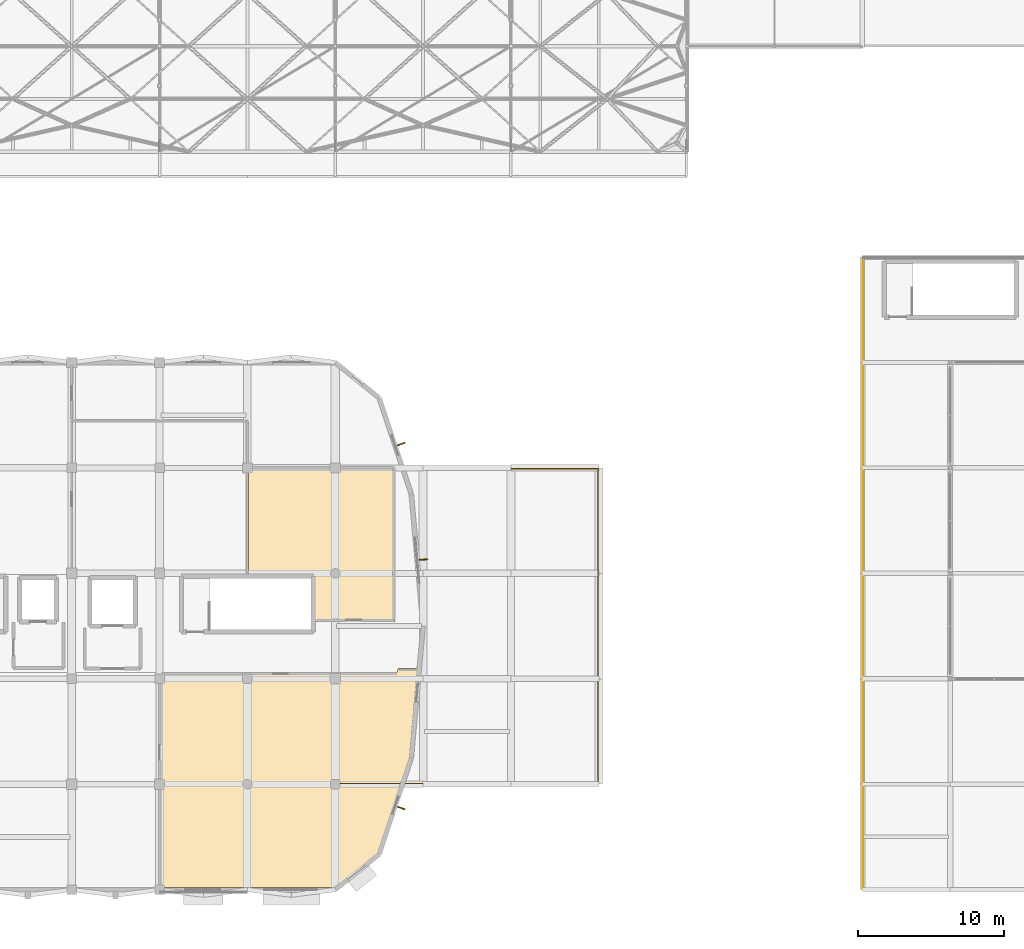
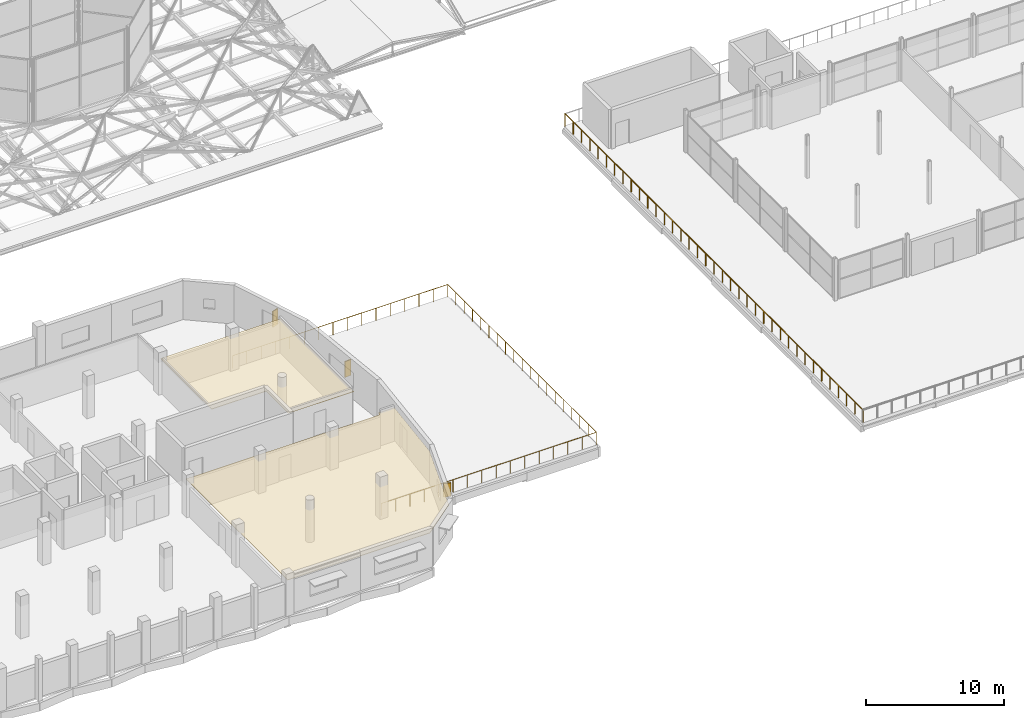
# One storey, part 236 of 239: 3 shading devices, 2 coverings, 2 railings.
"""IFC4 building model written with IfcOpenShell, lengths in metres."""

from ifc_helpers import new_model, si_unit, direction, frame, origin, origin_2d, place, context, subcontext, project, spatial, polyline, rectangle, circle, outline, extrude, material, layer, layer_set, type_object, element, save


model = new_model("IFC4")

# Units and contexts
model_context = context("Model", 3, precision=1e-05, world=origin(), true_north=direction((0.0, 1.0)))
body_context = subcontext(model_context, "Body", "Model", "MODEL_VIEW")
ifc_project = project(units=[si_unit("LENGTHUNIT", "METRE"), si_unit("AREAUNIT", "SQUARE_METRE"), si_unit("VOLUMEUNIT", "CUBIC_METRE"), si_unit("PLANEANGLEUNIT", "RADIAN"), si_unit("MASSUNIT", "GRAM", prefix="KILO")], contexts=[model_context])

# Site, building, storey
site_placement = place(None, origin())
site = spatial("IfcSite", under=ifc_project, at=site_placement, CompositionType="ELEMENT")
building_placement = place(site_placement, origin())
building = spatial("IfcBuilding", under=site, at=building_placement, Name="Dunvalen Ferry Terminal", CompositionType="ELEMENT")
storey_placement = place(building_placement, frame((0.0, 0.0, 9.840087890625)))
storey = spatial("IfcBuildingStorey", under=building, at=storey_placement, Name="L02", CompositionType="ELEMENT", Elevation=9.840087890625)

# Railings
ifc_material_1 = material(Name="Marine grade 316 stainless steel", Category="steel")
railing_type = type_object("IfcRailingType", Name="ENV-RL-BAL112", PredefinedType="BALUSTRADE", material=ifc_material_1)
railing_1_placement = place(storey_placement, frame((108.050048828125, 43.14990234375, 0.0)))
element("IfcRailing", 1, at=railing_1_placement, inside=storey, type_object=railing_type, Name="L02 Outdoor Terrace Safety Guard GRD-PROM-W", PredefinedType="BALUSTRADE", context=body_context, shape_type="SweptSolid", body=[
    extrude(circle(Radius=0.02392578125, at=origin_2d()), frame((0.0, 0.0, 1.09619140625), z_axis=(0.0, -1.0, 0.0), x_axis=(1.0, 0.0, 0.0)), (0.0, 0.0, 1.0), 43.099853515625),
    extrude(circle(Radius=0.02099609375, at=origin_2d()), origin(), (0.0, 0.0, 1.0), 1.072021484375),
    extrude(circle(Radius=0.02099609375, at=origin_2d()), frame((0.0, -1.197265625, 0.0)), (0.0, 0.0, 1.0), 1.072021484375),
    extrude(circle(Radius=0.02099609375, at=origin_2d()), frame((0.0, -2.39453125, 0.0)), (0.0, 0.0, 1.0), 1.072021484375),
    extrude(circle(Radius=0.02099609375, at=origin_2d()), frame((0.0, -3.591552734375, 0.0)), (0.0, 0.0, 1.0), 1.072021484375),
    extrude(circle(Radius=0.02099609375, at=origin_2d()), frame((0.0, -4.788818359375, 0.0)), (0.0, 0.0, 1.0), 1.072021484375),
    extrude(circle(Radius=0.02099609375, at=origin_2d()), frame((0.0, -5.986083984375, 0.0)), (0.0, 0.0, 1.0), 1.072021484375),
    extrude(circle(Radius=0.02099609375, at=origin_2d()), frame((0.0, -7.183349609375, 0.0)), (0.0, 0.0, 1.0), 1.072021484375),
    extrude(circle(Radius=0.02099609375, at=origin_2d()), frame((0.0, -8.380615234375, 0.0)), (0.0, 0.0, 1.0), 1.072021484375),
    extrude(circle(Radius=0.02099609375, at=origin_2d()), frame((0.0, -9.57763671875, 0.0)), (0.0, 0.0, 1.0), 1.072021484375),
    extrude(circle(Radius=0.02099609375, at=origin_2d()), frame((0.0, -10.77490234375, 0.0)), (0.0, 0.0, 1.0), 1.072021484375),
    extrude(circle(Radius=0.02099609375, at=origin_2d()), frame((0.0, -11.97216796875, 0.0)), (0.0, 0.0, 1.0), 1.072021484375),
    extrude(circle(Radius=0.02099609375, at=origin_2d()), frame((0.0, -13.16943359375, 0.0)), (0.0, 0.0, 1.0), 1.072021484375),
    extrude(circle(Radius=0.02099609375, at=origin_2d()), frame((0.0, -14.36669921875, 0.0)), (0.0, 0.0, 1.0), 1.072021484375),
    extrude(circle(Radius=0.02099609375, at=origin_2d()), frame((0.0, -15.563720703125, 0.0)), (0.0, 0.0, 1.0), 1.072021484375),
    extrude(circle(Radius=0.02099609375, at=origin_2d()), frame((0.0, -16.760986328125, 0.0)), (0.0, 0.0, 1.0), 1.072021484375),
    extrude(circle(Radius=0.02099609375, at=origin_2d()), frame((0.0, -17.958251953125, 0.0)), (0.0, 0.0, 1.0), 1.072021484375),
    extrude(circle(Radius=0.02099609375, at=origin_2d()), frame((0.0, -19.155517578125, 0.0)), (0.0, 0.0, 1.0), 1.072021484375),
    extrude(circle(Radius=0.02099609375, at=origin_2d()), frame((0.0, -20.352783203125, 0.0)), (0.0, 0.0, 1.0), 1.072021484375),
    extrude(circle(Radius=0.02099609375, at=origin_2d()), frame((0.0, -21.5498046875, 0.0)), (0.0, 0.0, 1.0), 1.072021484375),
    extrude(circle(Radius=0.02099609375, at=origin_2d()), frame((0.0, -22.7470703125, 0.0)), (0.0, 0.0, 1.0), 1.072021484375),
    extrude(circle(Radius=0.02099609375, at=origin_2d()), frame((0.0, -23.9443359375, 0.0)), (0.0, 0.0, 1.0), 1.072021484375),
    extrude(circle(Radius=0.02099609375, at=origin_2d()), frame((0.0, -25.1416015625, 0.0)), (0.0, 0.0, 1.0), 1.072021484375),
    extrude(circle(Radius=0.02099609375, at=origin_2d()), frame((0.0, -26.3388671875, 0.0)), (0.0, 0.0, 1.0), 1.072021484375),
    extrude(circle(Radius=0.02099609375, at=origin_2d()), frame((0.0, -27.5361328125, 0.0)), (0.0, 0.0, 1.0), 1.072021484375),
    extrude(circle(Radius=0.02099609375, at=origin_2d()), frame((0.0, -28.733154296875, 0.0)), (0.0, 0.0, 1.0), 1.072021484375),
    extrude(circle(Radius=0.02099609375, at=origin_2d()), frame((0.0, -29.930419921875, 0.0)), (0.0, 0.0, 1.0), 1.072021484375),
    extrude(circle(Radius=0.02099609375, at=origin_2d()), frame((0.0, -31.127685546875, 0.0)), (0.0, 0.0, 1.0), 1.072021484375),
    extrude(circle(Radius=0.02099609375, at=origin_2d()), frame((0.0, -32.324951171875, 0.0)), (0.0, 0.0, 1.0), 1.072021484375),
    extrude(circle(Radius=0.02099609375, at=origin_2d()), frame((0.0, -33.522216796875, 0.0)), (0.0, 0.0, 1.0), 1.072021484375),
    extrude(circle(Radius=0.02099609375, at=origin_2d()), frame((0.0, -34.71923828125, 0.0)), (0.0, 0.0, 1.0), 1.072021484375),
    extrude(circle(Radius=0.02099609375, at=origin_2d()), frame((0.0, -35.91650390625, 0.0)), (0.0, 0.0, 1.0), 1.072021484375),
    extrude(circle(Radius=0.02099609375, at=origin_2d()), frame((0.0, -37.11376953125, 0.0)), (0.0, 0.0, 1.0), 1.072021484375),
    extrude(circle(Radius=0.02099609375, at=origin_2d()), frame((0.0, -38.31103515625, 0.0)), (0.0, 0.0, 1.0), 1.072021484375),
    extrude(circle(Radius=0.02099609375, at=origin_2d()), frame((0.0, -39.50830078125, 0.0)), (0.0, 0.0, 1.0), 1.072021484375),
    extrude(circle(Radius=0.02099609375, at=origin_2d()), frame((0.0, -40.705322265625, 0.0)), (0.0, 0.0, 1.0), 1.072021484375),
    extrude(circle(Radius=0.02099609375, at=origin_2d()), frame((0.0, -41.902587890625, 0.0)), (0.0, 0.0, 1.0), 1.072021484375),
    extrude(circle(Radius=0.02099609375, at=origin_2d()), frame((0.0, -43.099853515625, 0.0)), (0.0, 0.0, 1.0), 1.072021484375),
])
railing_2_placement = place(storey_placement, frame((72.0, 7.25, 0.0)))
element("IfcRailing", 2, at=railing_2_placement, inside=storey, type_object=railing_type, Name="L02 Outdoor Terrace Safety Guard GRD-V5L02-TER", PredefinedType="BALUSTRADE", context=body_context, shape_type="SweptSolid", body=[
    extrude(circle(Radius=0.02392578125, at=origin_2d()), frame((0.0, 0.0, 1.09619140625), z_axis=(1.0, 0.0, 0.0), x_axis=(0.0, 1.0, 0.0)), (0.0, 0.0, 1.0), 17.949951171875),
    extrude(circle(Radius=0.02392578125, at=origin_2d()), frame((17.949951171875, 0.0, 1.09619140625), z_axis=(0.0, 1.0, 0.0), x_axis=(-1.0, 0.0, 0.0)), (0.0, 0.0, 1.0), 21.5),
    extrude(circle(Radius=0.02392578125, at=origin_2d()), frame((17.949951171875, 21.5, 1.09619140625), z_axis=(-1.0, 0.0, 0.0), x_axis=(0.0, -1.0, 0.0)), (0.0, 0.0, 1.0), 17.949951171875),
    extrude(circle(Radius=0.02099609375, at=origin_2d()), origin(), (0.0, 0.0, 1.0), 1.072021484375),
    extrude(circle(Radius=0.02099609375, at=origin_2d()), frame((1.19677734375, 0.0, 0.0)), (0.0, 0.0, 1.0), 1.072021484375),
    extrude(circle(Radius=0.02099609375, at=origin_2d()), frame((2.393310546875, 0.0, 0.0)), (0.0, 0.0, 1.0), 1.072021484375),
    extrude(circle(Radius=0.02099609375, at=origin_2d()), frame((3.590087890625, 0.0, 0.0)), (0.0, 0.0, 1.0), 1.072021484375),
    extrude(circle(Radius=0.02099609375, at=origin_2d()), frame((4.78662109375, 0.0, 0.0)), (0.0, 0.0, 1.0), 1.072021484375),
    extrude(circle(Radius=0.02099609375, at=origin_2d()), frame((5.9833984375, 0.0, 0.0)), (0.0, 0.0, 1.0), 1.072021484375),
    extrude(circle(Radius=0.02099609375, at=origin_2d()), frame((7.179931640625, 0.0, 0.0)), (0.0, 0.0, 1.0), 1.072021484375),
    extrude(circle(Radius=0.02099609375, at=origin_2d()), frame((8.376708984375, 0.0, 0.0)), (0.0, 0.0, 1.0), 1.072021484375),
    extrude(circle(Radius=0.02099609375, at=origin_2d()), frame((9.5732421875, 0.0, 0.0)), (0.0, 0.0, 1.0), 1.072021484375),
    extrude(circle(Radius=0.02099609375, at=origin_2d()), frame((10.77001953125, 0.0, 0.0)), (0.0, 0.0, 1.0), 1.072021484375),
    extrude(circle(Radius=0.02099609375, at=origin_2d()), frame((11.966552734375, 0.0, 0.0)), (0.0, 0.0, 1.0), 1.072021484375),
    extrude(circle(Radius=0.02099609375, at=origin_2d()), frame((13.163330078125, 0.0, 0.0)), (0.0, 0.0, 1.0), 1.072021484375),
    extrude(circle(Radius=0.02099609375, at=origin_2d()), frame((14.35986328125, 0.0, 0.0)), (0.0, 0.0, 1.0), 1.072021484375),
    extrude(circle(Radius=0.02099609375, at=origin_2d()), frame((15.556640625, 0.0, 0.0)), (0.0, 0.0, 1.0), 1.072021484375),
    extrude(circle(Radius=0.02099609375, at=origin_2d()), frame((16.753173828125, 0.0, 0.0)), (0.0, 0.0, 1.0), 1.072021484375),
    extrude(circle(Radius=0.02099609375, at=origin_2d()), frame((17.949951171875, 0.0, 0.0)), (0.0, 0.0, 1.0), 1.072021484375),
    extrude(circle(Radius=0.02099609375, at=origin_2d()), frame((17.949951171875, 1.1943359375, 0.0)), (0.0, 0.0, 1.0), 1.072021484375),
    extrude(circle(Radius=0.02099609375, at=origin_2d()), frame((17.949951171875, 2.388916015625, 0.0)), (0.0, 0.0, 1.0), 1.072021484375),
    extrude(circle(Radius=0.02099609375, at=origin_2d()), frame((17.949951171875, 3.583251953125, 0.0)), (0.0, 0.0, 1.0), 1.072021484375),
    extrude(circle(Radius=0.02099609375, at=origin_2d()), frame((17.949951171875, 4.77783203125, 0.0)), (0.0, 0.0, 1.0), 1.072021484375),
    extrude(circle(Radius=0.02099609375, at=origin_2d()), frame((17.949951171875, 5.97216796875, 0.0)), (0.0, 0.0, 1.0), 1.072021484375),
    extrude(circle(Radius=0.02099609375, at=origin_2d()), frame((17.949951171875, 7.166748046875, 0.0)), (0.0, 0.0, 1.0), 1.072021484375),
    extrude(circle(Radius=0.02099609375, at=origin_2d()), frame((17.949951171875, 8.361083984375, 0.0)), (0.0, 0.0, 1.0), 1.072021484375),
    extrude(circle(Radius=0.02099609375, at=origin_2d()), frame((17.949951171875, 9.5556640625, 0.0)), (0.0, 0.0, 1.0), 1.072021484375),
    extrude(circle(Radius=0.02099609375, at=origin_2d()), frame((17.949951171875, 10.75, 0.0)), (0.0, 0.0, 1.0), 1.072021484375),
    extrude(circle(Radius=0.02099609375, at=origin_2d()), frame((17.949951171875, 11.9443359375, 0.0)), (0.0, 0.0, 1.0), 1.072021484375),
    extrude(circle(Radius=0.02099609375, at=origin_2d()), frame((17.949951171875, 13.138916015625, 0.0)), (0.0, 0.0, 1.0), 1.072021484375),
    extrude(circle(Radius=0.02099609375, at=origin_2d()), frame((17.949951171875, 14.333251953125, 0.0)), (0.0, 0.0, 1.0), 1.072021484375),
    extrude(circle(Radius=0.02099609375, at=origin_2d()), frame((17.949951171875, 15.52783203125, 0.0)), (0.0, 0.0, 1.0), 1.072021484375),
    extrude(circle(Radius=0.02099609375, at=origin_2d()), frame((17.949951171875, 16.72216796875, 0.0)), (0.0, 0.0, 1.0), 1.072021484375),
    extrude(circle(Radius=0.02099609375, at=origin_2d()), frame((17.949951171875, 17.916748046875, 0.0)), (0.0, 0.0, 1.0), 1.072021484375),
    extrude(circle(Radius=0.02099609375, at=origin_2d()), frame((17.949951171875, 19.111083984375, 0.0)), (0.0, 0.0, 1.0), 1.072021484375),
    extrude(circle(Radius=0.02099609375, at=origin_2d()), frame((17.949951171875, 20.3056640625, 0.0)), (0.0, 0.0, 1.0), 1.072021484375),
    extrude(circle(Radius=0.02099609375, at=origin_2d()), frame((17.949951171875, 21.5, 0.0)), (0.0, 0.0, 1.0), 1.072021484375),
    extrude(circle(Radius=0.02099609375, at=origin_2d()), frame((16.753173828125, 21.5, 0.0)), (0.0, 0.0, 1.0), 1.072021484375),
    extrude(circle(Radius=0.02099609375, at=origin_2d()), frame((15.556640625, 21.5, 0.0)), (0.0, 0.0, 1.0), 1.072021484375),
    extrude(circle(Radius=0.02099609375, at=origin_2d()), frame((14.35986328125, 21.5, 0.0)), (0.0, 0.0, 1.0), 1.072021484375),
    extrude(circle(Radius=0.02099609375, at=origin_2d()), frame((13.163330078125, 21.5, 0.0)), (0.0, 0.0, 1.0), 1.072021484375),
    extrude(circle(Radius=0.02099609375, at=origin_2d()), frame((11.966552734375, 21.5, 0.0)), (0.0, 0.0, 1.0), 1.072021484375),
    extrude(circle(Radius=0.02099609375, at=origin_2d()), frame((10.77001953125, 21.5, 0.0)), (0.0, 0.0, 1.0), 1.072021484375),
    extrude(circle(Radius=0.02099609375, at=origin_2d()), frame((9.5732421875, 21.5, 0.0)), (0.0, 0.0, 1.0), 1.072021484375),
    extrude(circle(Radius=0.02099609375, at=origin_2d()), frame((8.376708984375, 21.5, 0.0)), (0.0, 0.0, 1.0), 1.072021484375),
    extrude(circle(Radius=0.02099609375, at=origin_2d()), frame((7.179931640625, 21.5, 0.0)), (0.0, 0.0, 1.0), 1.072021484375),
    extrude(circle(Radius=0.02099609375, at=origin_2d()), frame((5.9833984375, 21.5, 0.0)), (0.0, 0.0, 1.0), 1.072021484375),
    extrude(circle(Radius=0.02099609375, at=origin_2d()), frame((4.78662109375, 21.5, 0.0)), (0.0, 0.0, 1.0), 1.072021484375),
    extrude(circle(Radius=0.02099609375, at=origin_2d()), frame((3.590087890625, 21.5, 0.0)), (0.0, 0.0, 1.0), 1.072021484375),
    extrude(circle(Radius=0.02099609375, at=origin_2d()), frame((2.393310546875, 21.5, 0.0)), (0.0, 0.0, 1.0), 1.072021484375),
    extrude(circle(Radius=0.02099609375, at=origin_2d()), frame((1.19677734375, 21.5, 0.0)), (0.0, 0.0, 1.0), 1.072021484375),
    extrude(circle(Radius=0.02099609375, at=origin_2d()), frame((0.0, 21.5, 0.0)), (0.0, 0.0, 1.0), 1.072021484375),
])

# Shading devices
ifc_material_2 = material(Name="Anodised marine aluminium EN AW-6063 T6", Category="aluminium")
ifc_layer_1 = layer(ifc_material_2, 0.080078125, Name="Anodised marine aluminium EN AW-6063 T6")
ifc_layer_set_1 = layer_set([ifc_layer_1], Name="Anodised marine aluminium EN AW-6063 T6")
shading_device_type = type_object("IfcShadingDeviceType", Name="ENV-SHD-FIN01", PredefinedType="USERDEFINED", material=ifc_layer_set_1)
shading_device_placement = place(storey_placement, frame((76.507080078125, 5.569580078125, 1.14990234375), z_axis=(0.0, 0.0, 1.0), x_axis=(0.316232085723, 0.948681858138, 0.0)))
element("IfcShadingDevice", 3, at=shading_device_placement, inside=storey, type_object=shading_device_type, Name="L02 East Solar Fin 027", ObjectType="SOLAR FIN", PredefinedType="USERDEFINED", context=body_context, shape_type="SweptSolid", body=[
    extrude(rectangle(XDim=0.080078125, YDim=0.550048828125, at=origin_2d()), origin(), (0.0, 0.0, 1.0), 1.199951171875),
])
for number, where, z_axis, x_axis, name in (
    (4, (78.02734375, 22.538330078125, 0.949951171875), (0.0, 0.0, 1.0), (-0.088957034029, 0.996035464277, 0.0), "L02 East Solar Fin 028"),
    (5, (76.507080078125, 30.430419921875, 1.14990234375), (0.0, 0.0, 1.0), (-0.316232085723, 0.948681858138, 0.0), "L02 East Solar Fin 029"),
):
    element("IfcShadingDevice", number, at=place(storey_placement, frame(where, z_axis=z_axis, x_axis=x_axis)), inside=storey, type_object=shading_device_type, Name=name, ObjectType="SOLAR FIN", PredefinedType="USERDEFINED", context=body_context, shape_type="SweptSolid", body=[
        extrude(rectangle(XDim=0.080078125, YDim=0.550048828125, at=origin_2d()), origin(), (0.0, 0.0, 1.0), 1.39990234375),
    ])

# Coverings
ifc_material_3 = material(Name="Perforated marine aluminium acoustic baffle ceiling", Category="aluminium")
ifc_layer_2 = layer(ifc_material_3, 0.0400390625, Name="Perforated marine aluminium acoustic baffle ceiling")
ifc_layer_set_2 = layer_set([ifc_layer_2], Name="Perforated marine aluminium acoustic baffle ceiling")
covering_type = type_object("IfcCoveringType", Name="INT-COV-CLG01", PredefinedType="CEILING", material=ifc_layer_set_2)
covering_1_placement = place(storey_placement, frame((0.0, 0.0, 2.809814453125)))
element("IfcCovering", 6, at=covering_1_placement, inside=storey, type_object=covering_type, Name="L02 East Prow Terrace Lounge and Briefing Room Acoustic Suspended Ceiling", PredefinedType="CEILING", context=body_context, shape_type="SweptSolid", body=[
    extrude(outline(polyline([(77.609619140625, 15.090087890625), (76.281982421875, 15.090087890625), (76.25048828125, 14.868896484375), (76.177490234375, 14.830078125), (60.070068359375, 14.830078125), (60.070068359375, 0.1298828125), (71.9541015625, 0.1298828125), (74.888671875, 2.48876953125), (77.068115234375, 9.026611328125), (77.609619140625, 15.090087890625)])), origin(), (0.0, 0.0, 1.0), 0.0400390625),
])
covering_2_placement = place(storey_placement, frame((0.0, 0.0, 2.809814453125)))
element("IfcCovering", 7, at=covering_2_placement, inside=storey, type_object=covering_type, Name="L02 Dispatch Wing Staff and Accessible Toilets Acoustic Suspended Ceiling", PredefinedType="CEILING", context=body_context, shape_type="SweptSolid", body=[
    extrude(outline(polyline([(70.6201171875, 18.31005859375), (76.090087890625, 18.31005859375), (76.090087890625, 28.889892578125), (66.070068359375, 28.889892578125), (66.070068359375, 21.520263671875), (70.6201171875, 21.510009765625), (70.6201171875, 18.31005859375)])), origin(), (0.0, 0.0, 1.0), 0.0400390625),
])

save(model, "model.ifc")
